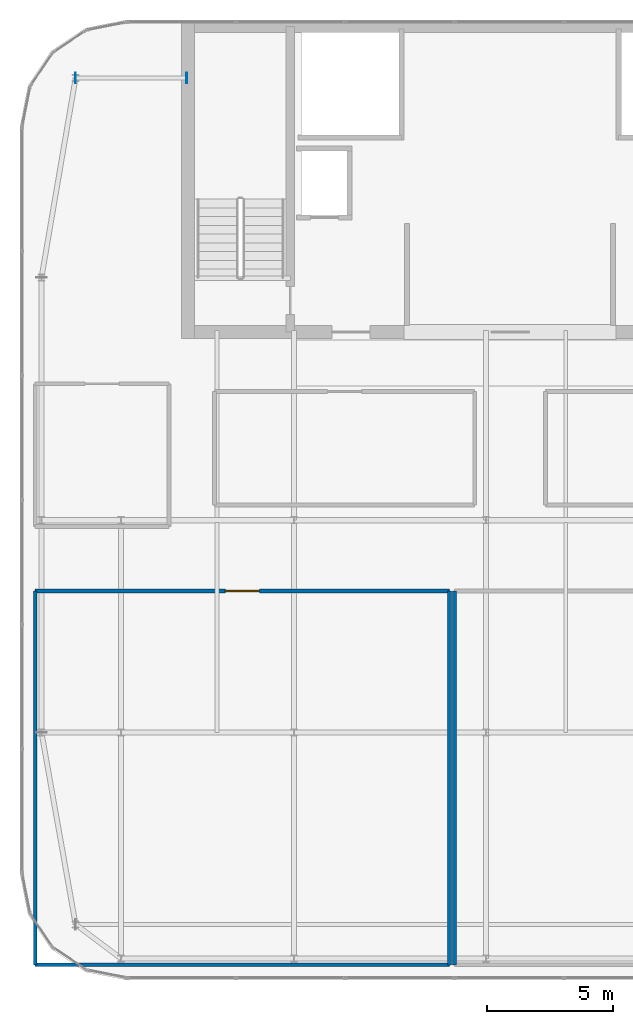
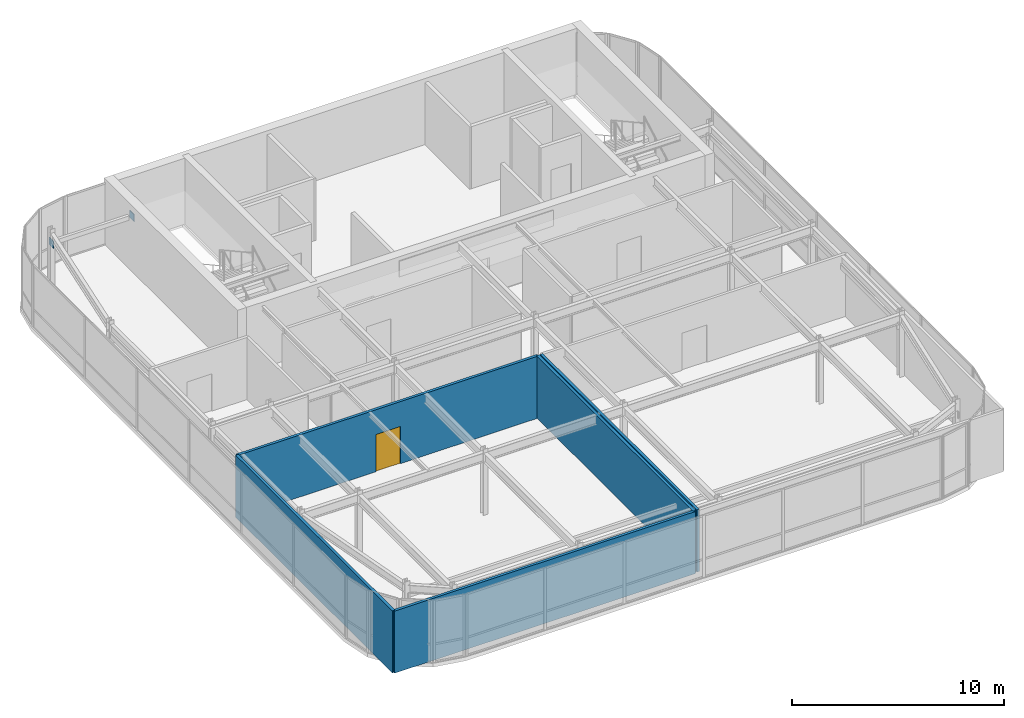
# One storey, part 33 of 36: 5 walls, 2 plates, 1 door, 1 opening.
"""IFC4 building model written with IfcOpenShell, lengths in metres."""

from ifc_helpers import new_model, si_unit, direction, frame, frame_2d, origin, origin_2d, place, context, subcontext, project, spatial, rectangle, extrude, source, transform, mapped, material, layer, layer_set, type_object, type_shapes, element, fill, save


model = new_model("IFC4")

# Units and contexts
model_context = context("Model", 3, precision=1e-05, world=origin(), true_north=direction((0.0, 1.0)))
body_context = subcontext(model_context, "Body", "Model", "MODEL_VIEW")
ifc_project = project(units=[si_unit("LENGTHUNIT", "METRE"), si_unit("AREAUNIT", "SQUARE_METRE"), si_unit("VOLUMEUNIT", "CUBIC_METRE"), si_unit("PLANEANGLEUNIT", "RADIAN"), si_unit("MASSUNIT", "GRAM", prefix="KILO")], contexts=[model_context])

# Site, building, storey
site_placement = place(None, origin())
site = spatial("IfcSite", under=ifc_project, at=site_placement, CompositionType="ELEMENT")
building_placement = place(site_placement, origin())
building = spatial("IfcBuilding", under=site, at=building_placement, Name="Tolvann Quenvar Hotel", CompositionType="ELEMENT")
storey_placement = place(building_placement, frame((0.0, 0.0, 298.550048828125)))
storey = spatial("IfcBuildingStorey", under=building, at=storey_placement, Name="L79", CompositionType="ELEMENT", Elevation=298.550048828125)

# Plates
ifc_material_1 = material(Name="Steel Grade 350", Category="steel")
ifc_layer_1 = layer(ifc_material_1, 0.02490234375)
ifc_layer_set_1 = layer_set([ifc_layer_1], Name="Steel Grade 350")
plate_type = type_object("IfcPlateType", Name="PLT_ENDCAP_25", PredefinedType="SHEET", material=ifc_layer_set_1)
shared_shape_1 = source(origin(), body_context, "Body", "SweptSolid", [
    extrude(rectangle(XDim=0.02490234375, YDim=0.419921875, at=origin_2d()), origin(), (0.0, 0.0, 1.0), 0.419921875),
])
type_shapes(plate_type, [shared_shape_1])
for number, where, z_axis, x_axis, name in (
    (1, (5.800048828125, 41.89990234375, 2.719970703125), (0.0, 0.0, 1.0), (1.0, 0.0, 0.0), "Crown Ring End Cap Plate EC-1 (L79-4-1)"),
    (2, (10.199951171875, 41.89990234375, 2.719970703125), (0.0, 0.0, 1.0), (1.0, 0.0, 0.0), "Crown Ring End Cap Plate EC-1 (L79-4-2)"),
):
    element("IfcPlate", number, at=place(storey_placement, frame(where, z_axis=z_axis, x_axis=x_axis)), inside=storey, type_object=plate_type, Name=name, PredefinedType="SHEET", context=body_context, shape_type="MappedRepresentation", body=[
        mapped(shared_shape_1, transform((0.0, 0.0, 0.0), x_axis=(1.0, 0.0, 0.0), y_axis=(0.0, 1.0, 0.0), z_axis=(0.0, 0.0, 1.0), scale=1.0)),
    ])

# Wall
ifc_material_2 = material(Name="Acoustic twin-stud fire-rated gypsum plasterboard partition")
ifc_layer_2 = layer(ifc_material_2, 0.14990234375)
ifc_layer_set_2 = layer_set([ifc_layer_2], Name="Acoustic twin-stud fire-rated gypsum plasterboard partition")
wall_type = type_object("IfcWallType", Name="WALL_PART_SUITE_150", PredefinedType="PARTITIONING", material=ifc_layer_set_2)
wall_1_placement = place(storey_placement, frame((4.199951171875, 6.800048828125, 0.0), z_axis=(0.0, 0.0, 1.0), x_axis=(1.0, 0.0, 0.0)))
element("IfcWall", 3, at=wall_1_placement, inside=storey, type_object=wall_type, Name="Interior Partition PT-SPC-L79-CWCHIL-S", PredefinedType="PARTITIONING", context=body_context, shape_type="SweptSolid", body=[
    extrude(rectangle(XDim=16.400146484375, YDim=0.14990234375, at=frame_2d((8.2001953125, 0.0))), origin(), (0.0, 0.0, 1.0), 3.579833984375),
])

# Wall, opening, door
wall_2_placement = place(storey_placement, frame((4.199951171875, 21.60009765625, 0.0), z_axis=(0.0, 0.0, 1.0), x_axis=(1.0, 0.0, 0.0)))
wall_2 = element("IfcWall", 4, at=wall_2_placement, inside=storey, type_object=wall_type, Name="Interior Partition PT-SPC-L79-CWCHIL-N", PredefinedType="PARTITIONING", context=body_context, shape_type="SweptSolid", body=[
    extrude(rectangle(XDim=16.400146484375, YDim=0.14990234375, at=frame_2d((8.2001953125, 0.0))), origin(), (0.0, 0.0, 1.0), 3.579833984375),
])
opening_placement = place(wall_2_placement, frame((7.52490234375, 0.0, 0.0)))
opening = element("IfcOpeningElement", 5, at=opening_placement, cuts=wall_2, Name="Opening PD-01", PredefinedType="OPENING", context=body_context, shape_type="SweptSolid", body=[
    extrude(rectangle(XDim=1.35009765625, YDim=2.14990234375, at=frame_2d((0.675048828125, 1.074951171875))), frame((0.0, 0.0849609375, 0.0), z_axis=(0.0, -1.0, 0.0), x_axis=(1.0, 0.0, 0.0)), (0.0, 0.0, 1.0), 0.169921875),
])
ifc_material_3 = material(Name="Pressed galvanised steel fire-rated door set", Category="steel")
door_type = type_object("IfcDoorType", Name="DOOR_PLANT_1350", OperationType="NOTDEFINED", PredefinedType="DOOR", material=ifc_material_3)
shared_shape_2 = source(origin(), body_context, "Body", "SweptSolid", [
    extrude(rectangle(XDim=1.35009765625, YDim=2.14990234375, at=frame_2d((0.675048828125, 1.074951171875))), frame((0.0, 0.02490234375, 0.0), z_axis=(0.0, -1.0, 0.0), x_axis=(1.0, 0.0, 0.0)), (0.0, 0.0, 1.0), 0.050048828125),
])
type_shapes(door_type, [shared_shape_2])
door_placement = place(opening_placement, origin())
door = element("IfcDoor", 6, at=door_placement, inside=storey, type_object=door_type, Name="Interior Door DOOR-SPC-L79-CWCHIL", OperationType="DOUBLE_DOOR_SINGLE_SWING", OverallHeight=2.14990234375, OverallWidth=1.35009765625, PredefinedType="DOOR", context=body_context, shape_type="MappedRepresentation", body=[
    mapped(shared_shape_2, transform((0.0, 0.0, 0.0), x_axis=(1.0, 0.0, 0.0), y_axis=(0.0, 1.0, 0.0), z_axis=(0.0, 0.0, 1.0), scale=1.0)),
])
fill(opening, door)

# Walls
for number, where, z_axis, x_axis, name in (
    (7, (4.199951171875, 6.800048828125, 0.0), (0.0, 0.0, 1.0), (0.0, 1.0, 0.0), "Interior Partition PT-SPC-L79-CWCHIL-W"),
    (8, (20.60009765625, 6.800048828125, 0.0), (0.0, 0.0, 1.0), (0.0, 1.0, 0.0), "Interior Partition PT-SPC-L79-CWCHIL-E"),
    (9, (20.800048828125, 6.800048828125, 0.0), (0.0, 0.0, 1.0), (0.0, 1.0, 0.0), "Interior Partition PT-SPC-L79-LMR-W"),
):
    element("IfcWall", number, at=place(storey_placement, frame(where, z_axis=z_axis, x_axis=x_axis)), inside=storey, type_object=wall_type, Name=name, PredefinedType="PARTITIONING", context=body_context, shape_type="SweptSolid", body=[
        extrude(rectangle(XDim=14.800048828125, YDim=0.14990234375, at=frame_2d((7.39990234375, 0.0))), origin(), (0.0, 0.0, 1.0), 3.579833984375),
    ])

save(model, "model.ifc")
